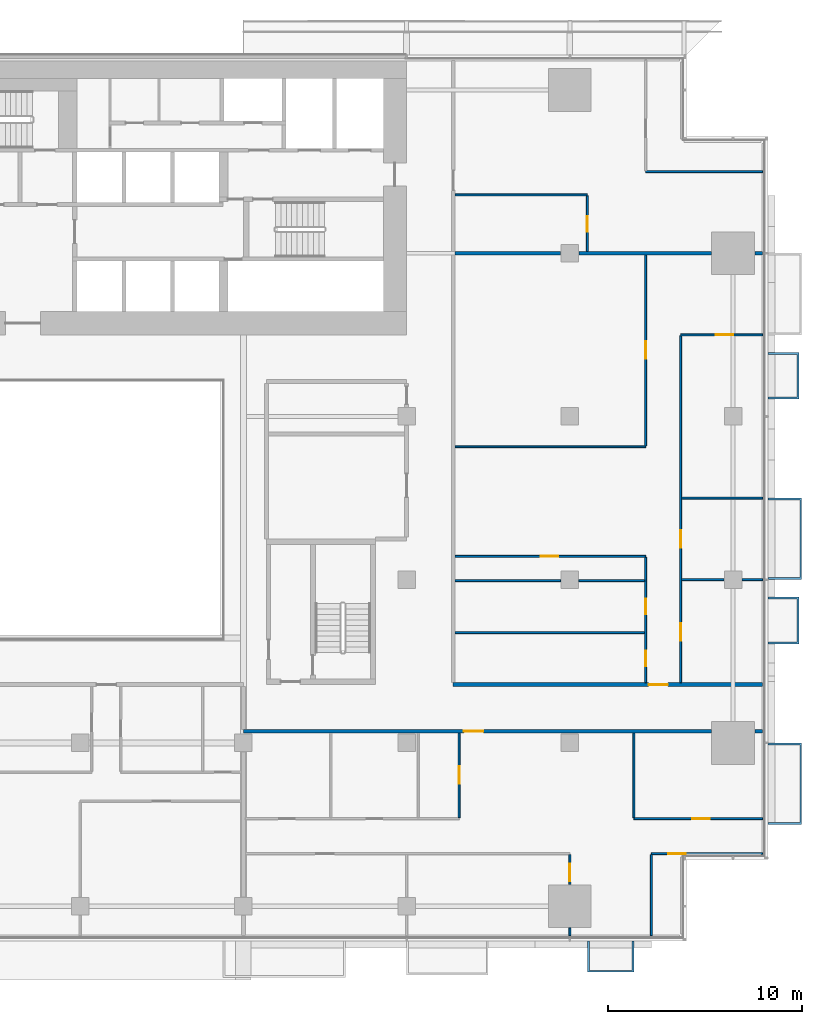
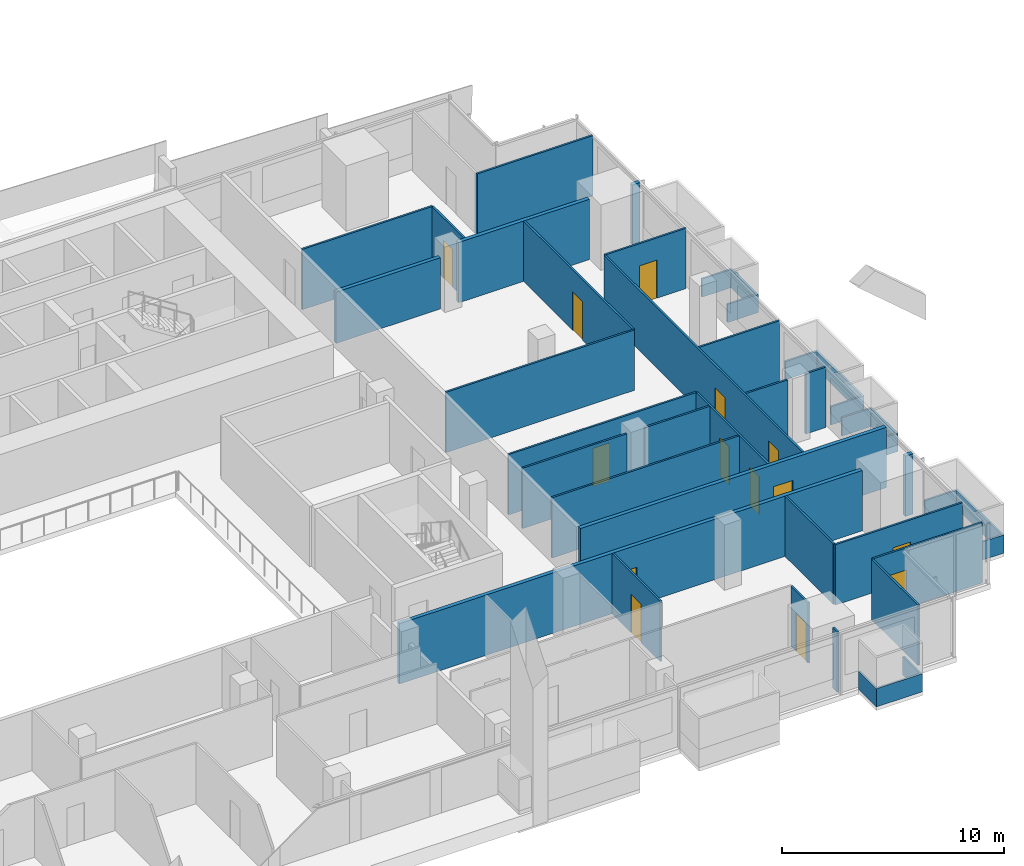
# One storey, part 23 of 30: 33 walls, 14 doors, 14 openings.
"""IFC4 building model written with IfcOpenShell, lengths in metres."""

from ifc_helpers import new_model, si_unit, direction, frame, frame_2d, origin, place, context, subcontext, project, spatial, polyline, rectangle, outline, extrude, material, layer, layer_set, type_object, element, fill, save


model = new_model("IFC4")

# Units and contexts
model_context = context("Model", 3, precision=1e-05, world=origin(), true_north=direction((0.0, 1.0)))
body_context = subcontext(model_context, "Body", "Model", "MODEL_VIEW")
ifc_project = project(units=[si_unit("LENGTHUNIT", "METRE"), si_unit("AREAUNIT", "SQUARE_METRE"), si_unit("VOLUMEUNIT", "CUBIC_METRE"), si_unit("PLANEANGLEUNIT", "RADIAN"), si_unit("MASSUNIT", "GRAM", prefix="KILO")], contexts=[model_context])

# Site, building, storey
site_placement = place(None, origin())
site = spatial("IfcSite", under=ifc_project, at=site_placement, CompositionType="ELEMENT")
building_placement = place(site_placement, origin())
building = spatial("IfcBuilding", under=site, at=building_placement, Name="Saffron Gate Tower", CompositionType="ELEMENT")
storey_placement = place(building_placement, frame((0.0, 0.0, 37.199951171875)))
storey = spatial("IfcBuildingStorey", under=building, at=storey_placement, Name="L07", CompositionType="ELEMENT", Elevation=37.199951171875)

# Wall, opening, door
ifc_material_1 = material(Name="Plasterboard on steel studs", Category="steel")
ifc_layer_1 = layer(ifc_material_1, 0.10009765625)
ifc_layer_set_1 = layer_set([ifc_layer_1], Name="PW1 Partition 100")
wall_type_1 = type_object("IfcWallType", Name="PW1 Partition 100", PredefinedType="PARTITIONING", material=ifc_layer_set_1)
wall_1_placement = place(storey_placement, frame((126.919921875, 34.5, 0.0), z_axis=(0.0, 0.0, 1.0), x_axis=(-1.0, 0.0, 0.0)))
wall_1 = element("IfcWall", 1, at=wall_1_placement, inside=storey, type_object=wall_type_1, Name="Partition A1-4", PredefinedType="PARTITIONING", context=body_context, shape_type="SweptSolid", body=[
    extrude(rectangle(XDim=5.719970703125, YDim=0.10009765625, at=frame_2d((2.85986328125, 0.0))), origin(), (0.0, 0.0, 1.0), 3.320068359375),
])
opening_1_placement = place(wall_1_placement, frame((3.96630859375, 0.0, 0.0)))
opening_1 = element("IfcOpeningElement", 2, at=opening_1_placement, cuts=wall_1, Name="Opening A1-20", PredefinedType="OPENING", context=body_context, shape_type="SweptSolid", body=[
    extrude(rectangle(XDim=0.89990234375, YDim=2.10009765625, at=frame_2d((0.449951171875, 1.050048828125))), frame((0.0, 0.06005859375, 0.0), z_axis=(0.0, -1.0, 0.0), x_axis=(1.0, 0.0, 0.0)), (0.0, 0.0, 1.0), 0.1201171875),
])
ifc_material_2 = material(Name="Timber door set", Category="wood")
door_type_1 = type_object("IfcDoorType", Name="RD1 Room door 900x2100", OperationType="NOTDEFINED", PredefinedType="DOOR", material=ifc_material_2)
door_1_placement = place(opening_1_placement, origin())
door_1 = element("IfcDoor", 3, at=door_1_placement, inside=storey, type_object=door_type_1, Name="Door A1-20", OperationType="SINGLE_SWING_RIGHT", OverallHeight=2.10009765625, OverallWidth=0.89990234375, PredefinedType="DOOR", context=body_context, shape_type="SweptSolid", body=[
    extrude(rectangle(XDim=0.89990234375, YDim=2.10009765625, at=frame_2d((0.449951171875, 1.050048828125))), frame((0.0, 0.02490234375, 0.0), z_axis=(0.0, -1.0, 0.0), x_axis=(1.0, 0.0, 0.0)), (0.0, 0.0, 1.0), 0.050048828125),
])
fill(opening_1, door_1)

wall_2_placement = place(storey_placement, frame((120.300048828125, 36.300048828125, 0.0), z_axis=(0.0, 0.0, 1.0), x_axis=(1.0, 0.0, 0.0)))
wall_2 = element("IfcWall", 4, at=wall_2_placement, inside=storey, type_object=wall_type_1, Name="Partition A1-8", PredefinedType="PARTITIONING", context=body_context, shape_type="SweptSolid", body=[
    extrude(rectangle(XDim=6.619873046875, YDim=0.10009765625, at=frame_2d((3.31005859375, 0.0))), origin(), (0.0, 0.0, 1.0), 3.320068359375),
])
opening_2_placement = place(wall_2_placement, frame((3.0, 0.0, 0.0)))
opening_2 = element("IfcOpeningElement", 5, at=opening_2_placement, cuts=wall_2, Name="Opening A1-21", PredefinedType="OPENING", context=body_context, shape_type="SweptSolid", body=[
    extrude(rectangle(XDim=0.89990234375, YDim=2.10009765625, at=frame_2d((0.449951171875, 1.050048828125))), frame((0.0, 0.06005859375, 0.0), z_axis=(0.0, -1.0, 0.0), x_axis=(1.0, 0.0, 0.0)), (0.0, 0.0, 1.0), 0.1201171875),
])
door_2_placement = place(opening_2_placement, origin())
door_2 = element("IfcDoor", 6, at=door_2_placement, inside=storey, type_object=door_type_1, Name="Door A1-21", OperationType="SINGLE_SWING_RIGHT", OverallHeight=2.10009765625, OverallWidth=0.89990234375, PredefinedType="DOOR", context=body_context, shape_type="SweptSolid", body=[
    extrude(rectangle(XDim=0.89990234375, YDim=2.10009765625, at=frame_2d((0.449951171875, 1.050048828125))), frame((0.0, 0.02490234375, 0.0), z_axis=(0.0, -1.0, 0.0), x_axis=(1.0, 0.0, 0.0)), (0.0, 0.0, 1.0), 0.050048828125),
])
fill(opening_2, door_2)

# Walls
wall_3_placement = place(storey_placement, frame((111.10009765625, 45.876708984375, 0.0), z_axis=(0.0, 0.0, 1.0), x_axis=(1.0, 0.0, 0.0)))
element("IfcWall", 7, at=wall_3_placement, inside=storey, type_object=wall_type_1, Name="Partition A1-20", PredefinedType="PARTITIONING", context=body_context, shape_type="SweptSolid", body=[
    extrude(rectangle(XDim=9.75, YDim=0.10009765625, at=frame_2d((4.875, 0.0))), origin(), (0.0, 0.0, 1.0), 3.320068359375),
])
wall_4_placement = place(storey_placement, frame((111.10009765625, 48.553466796875, 0.0), z_axis=(0.0, 0.0, 1.0), x_axis=(1.0, 0.0, 0.0)))
element("IfcWall", 8, at=wall_4_placement, inside=storey, type_object=wall_type_1, Name="Partition A1-22", PredefinedType="PARTITIONING", context=body_context, shape_type="SweptSolid", body=[
    extrude(rectangle(XDim=5.429931640625, YDim=0.10009765625, at=frame_2d((2.71484375, 0.0))), origin(), (0.0, 0.0, 1.0), 3.320068359375),
])
wall_5_placement = place(storey_placement, frame((117.469970703125, 48.553466796875, 0.0), z_axis=(0.0, 0.0, 1.0), x_axis=(1.0, 0.0, 0.0)))
element("IfcWall", 9, at=wall_5_placement, inside=storey, type_object=wall_type_1, Name="Partition A1-23", PredefinedType="PARTITIONING", context=body_context, shape_type="SweptSolid", body=[
    extrude(rectangle(XDim=3.380126953125, YDim=0.10009765625, at=frame_2d((1.68994140625, 0.0))), origin(), (0.0, 0.0, 1.0), 3.320068359375),
])
wall_6_placement = place(storey_placement, frame((122.75, 48.60009765625, 0.0), z_axis=(0.0, 0.0, 1.0), x_axis=(1.0, 0.0, 0.0)))
element("IfcWall", 10, at=wall_6_placement, inside=storey, type_object=wall_type_1, Name="Partition A1-26", PredefinedType="PARTITIONING", context=body_context, shape_type="SweptSolid", body=[
    extrude(rectangle(XDim=2.179931640625, YDim=0.10009765625, at=frame_2d((1.08984375, 0.0))), origin(), (0.0, 0.0, 1.0), 3.320068359375),
])
wall_7_placement = place(storey_placement, frame((125.8701171875, 48.60009765625, 0.0), z_axis=(0.0, 0.0, 1.0), x_axis=(1.0, 0.0, 0.0)))
element("IfcWall", 11, at=wall_7_placement, inside=storey, type_object=wall_type_1, Name="Partition A1-27", PredefinedType="PARTITIONING", context=body_context, shape_type="SweptSolid", body=[
    extrude(rectangle(XDim=1.0498046875, YDim=0.10009765625, at=frame_2d((0.52490234375, 0.0))), origin(), (0.0, 0.0, 1.0), 3.320068359375),
])

# Wall, opening, door
wall_8_placement = place(storey_placement, frame((120.89990234375, 49.800048828125, 0.0), z_axis=(0.0, 0.0, 1.0), x_axis=(-1.0, 0.0, 0.0)))
wall_8 = element("IfcWall", 12, at=wall_8_placement, inside=storey, type_object=wall_type_1, Name="Partition A1-29", PredefinedType="PARTITIONING", context=body_context, shape_type="SweptSolid", body=[
    extrude(rectangle(XDim=9.7998046875, YDim=0.10009765625, at=frame_2d((4.89990234375, 0.0))), origin(), (0.0, 0.0, 1.0), 3.320068359375),
])
opening_3_placement = place(wall_8_placement, frame((4.5, 0.0, 0.0)))
opening_3 = element("IfcOpeningElement", 13, at=opening_3_placement, cuts=wall_8, Name="Opening A1-33", PredefinedType="OPENING", context=body_context, shape_type="SweptSolid", body=[
    extrude(rectangle(XDim=0.89990234375, YDim=2.10009765625, at=frame_2d((0.449951171875, 1.050048828125))), frame((0.0, 0.06005859375, 0.0), z_axis=(0.0, -1.0, 0.0), x_axis=(1.0, 0.0, 0.0)), (0.0, 0.0, 1.0), 0.1201171875),
])
door_3_placement = place(opening_3_placement, origin())
door_3 = element("IfcDoor", 14, at=door_3_placement, inside=storey, type_object=door_type_1, Name="Door A1-33", OperationType="SINGLE_SWING_RIGHT", OverallHeight=2.10009765625, OverallWidth=0.89990234375, PredefinedType="DOOR", context=body_context, shape_type="SweptSolid", body=[
    extrude(rectangle(XDim=0.89990234375, YDim=2.10009765625, at=frame_2d((0.449951171875, 1.050048828125))), frame((0.0, 0.02490234375, 0.0), z_axis=(0.0, -1.0, 0.0), x_axis=(1.0, 0.0, 0.0)), (0.0, 0.0, 1.0), 0.050048828125),
])
fill(opening_3, door_3)

# Walls
wall_9_placement = place(storey_placement, frame((122.75, 52.800048828125, 0.0), z_axis=(0.0, 0.0, 1.0), x_axis=(1.0, 0.0, 0.0)))
element("IfcWall", 15, at=wall_9_placement, inside=storey, type_object=wall_type_1, Name="Partition A1-34", PredefinedType="PARTITIONING", context=body_context, shape_type="SweptSolid", body=[
    extrude(rectangle(XDim=4.169921875, YDim=0.10009765625, at=frame_2d((2.0849609375, 0.0))), origin(), (0.0, 0.0, 1.0), 3.320068359375),
])
wall_10_placement = place(storey_placement, frame((111.10009765625, 55.44140625, 0.0), z_axis=(0.0, 0.0, 1.0), x_axis=(1.0, 0.0, 0.0)))
element("IfcWall", 16, at=wall_10_placement, inside=storey, type_object=wall_type_1, Name="Partition A1-35", PredefinedType="PARTITIONING", context=body_context, shape_type="SweptSolid", body=[
    extrude(rectangle(XDim=9.7998046875, YDim=0.10009765625, at=frame_2d((4.89990234375, 0.0))), origin(), (0.0, 0.0, 1.0), 3.320068359375),
])

# Wall, opening, door
wall_11_placement = place(storey_placement, frame((126.919921875, 61.199951171875, 0.0), z_axis=(0.0, 0.0, 1.0), x_axis=(-1.0, 0.0, 0.0)))
wall_11 = element("IfcWall", 17, at=wall_11_placement, inside=storey, type_object=wall_type_1, Name="Partition A1-41", PredefinedType="PARTITIONING", context=body_context, shape_type="SweptSolid", body=[
    extrude(rectangle(XDim=4.219970703125, YDim=0.10009765625, at=frame_2d((2.10986328125, 0.0))), origin(), (0.0, 0.0, 1.0), 3.320068359375),
])
opening_4_placement = place(wall_11_placement, frame((1.52001953125, 0.0, 0.0)))
opening_4 = element("IfcOpeningElement", 18, at=opening_4_placement, cuts=wall_11, Name="Opening A1-31", PredefinedType="OPENING", context=body_context, shape_type="SweptSolid", body=[
    extrude(rectangle(XDim=0.89990234375, YDim=2.10009765625, at=frame_2d((0.449951171875, 1.050048828125))), frame((0.0, 0.06005859375, 0.0), z_axis=(0.0, -1.0, 0.0), x_axis=(1.0, 0.0, 0.0)), (0.0, 0.0, 1.0), 0.1201171875),
])
door_4_placement = place(opening_4_placement, origin())
door_4 = element("IfcDoor", 19, at=door_4_placement, inside=storey, type_object=door_type_1, Name="Door A1-31", OperationType="SINGLE_SWING_LEFT", OverallHeight=2.10009765625, OverallWidth=0.89990234375, PredefinedType="DOOR", context=body_context, shape_type="SweptSolid", body=[
    extrude(rectangle(XDim=0.89990234375, YDim=2.10009765625, at=frame_2d((0.449951171875, 1.050048828125))), frame((0.0, 0.02490234375, 0.0), z_axis=(0.0, -1.0, 0.0), x_axis=(1.0, 0.0, 0.0)), (0.0, 0.0, 1.0), 0.050048828125),
])
fill(opening_4, door_4)

# Walls
wall_12_placement = place(storey_placement, frame((111.10009765625, 68.39990234375, 0.0), z_axis=(0.0, 0.0, 1.0), x_axis=(1.0, 0.0, 0.0)))
element("IfcWall", 20, at=wall_12_placement, inside=storey, type_object=wall_type_1, Name="Partition A1-48", PredefinedType="PARTITIONING", context=body_context, shape_type="SweptSolid", body=[
    extrude(rectangle(XDim=6.7998046875, YDim=0.10009765625, at=frame_2d((3.39990234375, 0.0))), origin(), (0.0, 0.0, 1.0), 3.320068359375),
])
wall_13_placement = place(storey_placement, frame((120.89990234375, 69.60009765625, 0.0), z_axis=(0.0, 0.0, 1.0), x_axis=(1.0, 0.0, 0.0)))
element("IfcWall", 21, at=wall_13_placement, inside=storey, type_object=wall_type_1, Name="Partition A1-51", PredefinedType="PARTITIONING", context=body_context, shape_type="SweptSolid", body=[
    extrude(rectangle(XDim=6.02001953125, YDim=0.10009765625, at=frame_2d((3.010009765625, 0.0))), origin(), (0.0, 0.0, 1.0), 3.320068359375),
])

# Wall, opening, door
wall_14_placement = place(storey_placement, frame((111.300048828125, 36.35009765625, 0.0), z_axis=(0.0, 0.0, 1.0), x_axis=(0.0, 1.0, 0.0)))
wall_14 = element("IfcWall", 22, at=wall_14_placement, inside=storey, type_object=wall_type_1, Name="Partition A1-96", PredefinedType="PARTITIONING", context=body_context, shape_type="SweptSolid", body=[
    extrude(rectangle(XDim=4.349853515625, YDim=0.10009765625, at=frame_2d((2.1748046875, 0.0))), origin(), (0.0, 0.0, 1.0), 3.320068359375),
])
opening_5_placement = place(wall_14_placement, frame((1.75, 0.0, 0.0)))
opening_5 = element("IfcOpeningElement", 23, at=opening_5_placement, cuts=wall_14, Name="Opening A1-22", PredefinedType="OPENING", context=body_context, shape_type="SweptSolid", body=[
    extrude(rectangle(XDim=0.89990234375, YDim=2.10009765625, at=frame_2d((0.449951171875, 1.050048828125))), frame((0.0, 0.06005859375, 0.0), z_axis=(0.0, -1.0, 0.0), x_axis=(1.0, 0.0, 0.0)), (0.0, 0.0, 1.0), 0.1201171875),
])
door_5_placement = place(opening_5_placement, origin())
door_5 = element("IfcDoor", 24, at=door_5_placement, inside=storey, type_object=door_type_1, Name="Door A1-22", OperationType="SINGLE_SWING_RIGHT", OverallHeight=2.10009765625, OverallWidth=0.89990234375, PredefinedType="DOOR", context=body_context, shape_type="SweptSolid", body=[
    extrude(rectangle(XDim=0.89990234375, YDim=2.10009765625, at=frame_2d((0.449951171875, 1.050048828125))), frame((0.0, 0.02490234375, 0.0), z_axis=(0.0, -1.0, 0.0), x_axis=(1.0, 0.0, 0.0)), (0.0, 0.0, 1.0), 0.050048828125),
])
fill(opening_5, door_5)

# Wall
wall_15_placement = place(storey_placement, frame((117.0, 30.679931640625, 0.0), z_axis=(0.0, 0.0, 1.0), x_axis=(0.0, -1.0, 0.0)))
element("IfcWall", 25, at=wall_15_placement, inside=storey, type_object=wall_type_1, Name="Partition A1-97", PredefinedType="PARTITIONING", context=body_context, shape_type="SweptSolid", body=[
    extrude(rectangle(XDim=0.39990234375, YDim=0.10009765625, at=frame_2d((0.199951171875, 0.0))), origin(), (0.0, 0.0, 1.0), 3.320068359375),
])

# Wall, opening, door
wall_16_placement = place(storey_placement, frame((117.0, 32.919921875, 0.0), z_axis=(0.0, 0.0, 1.0), x_axis=(0.0, 1.0, 0.0)))
wall_16 = element("IfcWall", 26, at=wall_16_placement, inside=storey, type_object=wall_type_1, Name="Partition A1-98", PredefinedType="PARTITIONING", context=body_context, shape_type="SweptSolid", body=[
    extrude(rectangle(XDim=1.530029296875, YDim=0.10009765625, at=frame_2d((0.76513671875, 0.0))), origin(), (0.0, 0.0, 1.0), 3.320068359375),
])
opening_6_placement = place(wall_16_placement, frame((0.14990234375, 0.0, 0.0)))
opening_6 = element("IfcOpeningElement", 27, at=opening_6_placement, cuts=wall_16, Name="Opening A1-19", PredefinedType="OPENING", context=body_context, shape_type="SweptSolid", body=[
    extrude(rectangle(XDim=0.89990234375, YDim=2.10009765625, at=frame_2d((0.449951171875, 1.050048828125))), frame((0.0, 0.06005859375, 0.0), z_axis=(0.0, -1.0, 0.0), x_axis=(1.0, 0.0, 0.0)), (0.0, 0.0, 1.0), 0.1201171875),
])
door_6_placement = place(opening_6_placement, origin())
door_6 = element("IfcDoor", 28, at=door_6_placement, inside=storey, type_object=door_type_1, Name="Door A1-19", OperationType="SINGLE_SWING_LEFT", OverallHeight=2.10009765625, OverallWidth=0.89990234375, PredefinedType="DOOR", context=body_context, shape_type="SweptSolid", body=[
    extrude(rectangle(XDim=0.89990234375, YDim=2.10009765625, at=frame_2d((0.449951171875, 1.050048828125))), frame((0.0, 0.02490234375, 0.0), z_axis=(0.0, -1.0, 0.0), x_axis=(1.0, 0.0, 0.0)), (0.0, 0.0, 1.0), 0.050048828125),
])
fill(opening_6, door_6)

wall_17_placement = place(storey_placement, frame((117.89990234375, 65.5, 0.0), z_axis=(0.0, 0.0, 1.0), x_axis=(0.0, 1.0, 0.0)))
wall_17 = element("IfcWall", 29, at=wall_17_placement, inside=storey, type_object=wall_type_1, Name="Partition A1-99", PredefinedType="PARTITIONING", context=body_context, shape_type="SweptSolid", body=[
    extrude(rectangle(XDim=2.85009765625, YDim=0.10009765625, at=frame_2d((1.425048828125, 0.0))), origin(), (0.0, 0.0, 1.0), 3.320068359375),
])
opening_7_placement = place(wall_17_placement, frame((1.0, 0.0, 0.0)))
opening_7 = element("IfcOpeningElement", 30, at=opening_7_placement, cuts=wall_17, Name="Opening A1-47", PredefinedType="OPENING", context=body_context, shape_type="SweptSolid", body=[
    extrude(rectangle(XDim=0.800048828125, YDim=2.10009765625, at=frame_2d((0.39990234375, 1.050048828125))), frame((0.0, 0.06005859375, 0.0), z_axis=(0.0, -1.0, 0.0), x_axis=(1.0, 0.0, 0.0)), (0.0, 0.0, 1.0), 0.1201171875),
])
door_type_2 = type_object("IfcDoorType", Name="RD2 Bathroom door 800x2100", OperationType="NOTDEFINED", PredefinedType="DOOR", material=ifc_material_2)
door_7_placement = place(opening_7_placement, origin())
door_7 = element("IfcDoor", 31, at=door_7_placement, inside=storey, type_object=door_type_2, Name="Door A1-47", OperationType="SINGLE_SWING_LEFT", OverallHeight=2.10009765625, OverallWidth=0.800048828125, PredefinedType="DOOR", context=body_context, shape_type="SweptSolid", body=[
    extrude(rectangle(XDim=0.800048828125, YDim=2.10009765625, at=frame_2d((0.39990234375, 1.050048828125))), frame((0.0, 0.02490234375, 0.0), z_axis=(0.0, -1.0, 0.0), x_axis=(1.0, 0.0, 0.0)), (0.0, 0.0, 1.0), 0.050048828125),
])
fill(opening_7, door_7)

# Wall
wall_18_placement = place(storey_placement, frame((120.300048828125, 40.699951171875, 0.0), z_axis=(0.0, 0.0, 1.0), x_axis=(0.0, -1.0, 0.0)))
element("IfcWall", 32, at=wall_18_placement, inside=storey, type_object=wall_type_1, Name="Partition A1-100", PredefinedType="PARTITIONING", context=body_context, shape_type="SweptSolid", body=[
    extrude(rectangle(XDim=4.349853515625, YDim=0.10009765625, at=frame_2d((2.1748046875, 0.0))), origin(), (0.0, 0.0, 1.0), 3.320068359375),
])

# Wall, openings, doors
wall_19_placement = place(storey_placement, frame((120.89990234375, 43.300048828125, 0.0), z_axis=(0.0, 0.0, 1.0), x_axis=(0.0, 1.0, 0.0)))
wall_19 = element("IfcWall", 33, at=wall_19_placement, inside=storey, type_object=wall_type_1, Name="Partition A1-101", PredefinedType="PARTITIONING", context=body_context, shape_type="SweptSolid", body=[
    extrude(rectangle(XDim=6.449951171875, YDim=0.10009765625, at=frame_2d((3.22509765625, 0.0))), origin(), (0.0, 0.0, 1.0), 3.320068359375),
])
opening_8_placement = place(wall_19_placement, frame((0.83837890625, 0.0, 0.0)))
opening_8 = element("IfcOpeningElement", 34, at=opening_8_placement, cuts=wall_19, Name="Opening A1-45", PredefinedType="OPENING", context=body_context, shape_type="SweptSolid", body=[
    extrude(rectangle(XDim=0.800048828125, YDim=2.10009765625, at=frame_2d((0.39990234375, 1.050048828125))), frame((0.0, 0.06005859375, 0.0), z_axis=(0.0, -1.0, 0.0), x_axis=(1.0, 0.0, 0.0)), (0.0, 0.0, 1.0), 0.1201171875),
])
opening_9_placement = place(wall_19_placement, frame((3.51513671875, 0.0, 0.0)))
opening_9 = element("IfcOpeningElement", 35, at=opening_9_placement, cuts=wall_19, Name="Opening A1-46", PredefinedType="OPENING", context=body_context, shape_type="SweptSolid", body=[
    extrude(rectangle(XDim=0.800048828125, YDim=2.10009765625, at=frame_2d((0.39990234375, 1.050048828125))), frame((0.0, 0.06005859375, 0.0), z_axis=(0.0, -1.0, 0.0), x_axis=(1.0, 0.0, 0.0)), (0.0, 0.0, 1.0), 0.1201171875),
])
door_8_placement = place(opening_8_placement, origin())
door_8 = element("IfcDoor", 36, at=door_8_placement, inside=storey, type_object=door_type_2, Name="Door A1-45", OperationType="SINGLE_SWING_LEFT", OverallHeight=2.10009765625, OverallWidth=0.800048828125, PredefinedType="DOOR", context=body_context, shape_type="SweptSolid", body=[
    extrude(rectangle(XDim=0.800048828125, YDim=2.10009765625, at=frame_2d((0.39990234375, 1.050048828125))), frame((0.0, 0.02490234375, 0.0), z_axis=(0.0, -1.0, 0.0), x_axis=(1.0, 0.0, 0.0)), (0.0, 0.0, 1.0), 0.050048828125),
])
fill(opening_8, door_8)
door_9_placement = place(opening_9_placement, origin())
door_9 = element("IfcDoor", 37, at=door_9_placement, inside=storey, type_object=door_type_2, Name="Door A1-46", OperationType="SINGLE_SWING_RIGHT", OverallHeight=2.10009765625, OverallWidth=0.800048828125, PredefinedType="DOOR", context=body_context, shape_type="SweptSolid", body=[
    extrude(rectangle(XDim=0.800048828125, YDim=2.10009765625, at=frame_2d((0.39990234375, 1.050048828125))), frame((0.0, 0.02490234375, 0.0), z_axis=(0.0, -1.0, 0.0), x_axis=(1.0, 0.0, 0.0)), (0.0, 0.0, 1.0), 0.050048828125),
])
fill(opening_9, door_9)

# Wall, opening, door
wall_20_placement = place(storey_placement, frame((120.89990234375, 55.491455078125, 0.0), z_axis=(0.0, 0.0, 1.0), x_axis=(0.0, 1.0, 0.0)))
wall_20 = element("IfcWall", 38, at=wall_20_placement, inside=storey, type_object=wall_type_1, Name="Partition A1-102", PredefinedType="PARTITIONING", context=body_context, shape_type="SweptSolid", body=[
    extrude(rectangle(XDim=9.80859375, YDim=0.10009765625, at=frame_2d((4.904296875, 0.0))), origin(), (0.0, 0.0, 1.0), 3.320068359375),
])
opening_10_placement = place(wall_20_placement, frame((4.479248046875, 0.0, 0.0)))
opening_10 = element("IfcOpeningElement", 39, at=opening_10_placement, cuts=wall_20, Name="Opening A1-32", PredefinedType="OPENING", context=body_context, shape_type="SweptSolid", body=[
    extrude(rectangle(XDim=0.89990234375, YDim=2.10009765625, at=frame_2d((0.449951171875, 1.050048828125))), frame((0.0, 0.06005859375, 0.0), z_axis=(0.0, -1.0, 0.0), x_axis=(1.0, 0.0, 0.0)), (0.0, 0.0, 1.0), 0.1201171875),
])
door_10_placement = place(opening_10_placement, origin())
door_10 = element("IfcDoor", 40, at=door_10_placement, inside=storey, type_object=door_type_1, Name="Door A1-32", OperationType="SINGLE_SWING_RIGHT", OverallHeight=2.10009765625, OverallWidth=0.89990234375, PredefinedType="DOOR", context=body_context, shape_type="SweptSolid", body=[
    extrude(rectangle(XDim=0.89990234375, YDim=2.10009765625, at=frame_2d((0.449951171875, 1.050048828125))), frame((0.0, 0.02490234375, 0.0), z_axis=(0.0, -1.0, 0.0), x_axis=(1.0, 0.0, 0.0)), (0.0, 0.0, 1.0), 0.050048828125),
])
fill(opening_10, door_10)

# Wall
wall_21_placement = place(storey_placement, frame((121.199951171875, 34.449951171875, 0.0), z_axis=(0.0, 0.0, 1.0), x_axis=(0.0, -1.0, 0.0)))
element("IfcWall", 41, at=wall_21_placement, inside=storey, type_object=wall_type_1, Name="Partition A1-104", PredefinedType="PARTITIONING", context=body_context, shape_type="SweptSolid", body=[
    extrude(rectangle(XDim=4.169921875, YDim=0.10009765625, at=frame_2d((2.0849609375, 0.0))), origin(), (0.0, 0.0, 1.0), 3.320068359375),
])

# Wall, openings, doors
wall_22_placement = place(storey_placement, frame((122.699951171875, 61.14990234375, 0.0), z_axis=(0.0, 0.0, 1.0), x_axis=(0.0, -1.0, 0.0)))
wall_22 = element("IfcWall", 42, at=wall_22_placement, inside=storey, type_object=wall_type_1, Name="Partition A1-105", PredefinedType="PARTITIONING", context=body_context, shape_type="SweptSolid", body=[
    extrude(rectangle(XDim=17.849853515625, YDim=0.10009765625, at=frame_2d((8.9248046875, 0.0))), origin(), (0.0, 0.0, 1.0), 3.320068359375),
])
opening_11_placement = place(wall_22_placement, frame((10.0, 0.0, 0.0)))
opening_11 = element("IfcOpeningElement", 43, at=opening_11_placement, cuts=wall_22, Name="Opening A1-30", PredefinedType="OPENING", context=body_context, shape_type="SweptSolid", body=[
    extrude(rectangle(XDim=0.89990234375, YDim=2.10009765625, at=frame_2d((0.449951171875, 1.050048828125))), frame((0.0, 0.06005859375, 0.0), z_axis=(0.0, -1.0, 0.0), x_axis=(1.0, 0.0, 0.0)), (0.0, 0.0, 1.0), 0.1201171875),
])
opening_12_placement = place(wall_22_placement, frame((14.800048828125, 0.0, 0.0)))
opening_12 = element("IfcOpeningElement", 44, at=opening_12_placement, cuts=wall_22, Name="Opening A1-29", PredefinedType="OPENING", context=body_context, shape_type="SweptSolid", body=[
    extrude(rectangle(XDim=0.89990234375, YDim=2.10009765625, at=frame_2d((0.449951171875, 1.050048828125))), frame((0.0, 0.06005859375, 0.0), z_axis=(0.0, -1.0, 0.0), x_axis=(1.0, 0.0, 0.0)), (0.0, 0.0, 1.0), 0.1201171875),
])
door_11_placement = place(opening_11_placement, origin())
door_11 = element("IfcDoor", 45, at=door_11_placement, inside=storey, type_object=door_type_1, Name="Door A1-30", OperationType="SINGLE_SWING_LEFT", OverallHeight=2.10009765625, OverallWidth=0.89990234375, PredefinedType="DOOR", context=body_context, shape_type="SweptSolid", body=[
    extrude(rectangle(XDim=0.89990234375, YDim=2.10009765625, at=frame_2d((0.449951171875, 1.050048828125))), frame((0.0, 0.02490234375, 0.0), z_axis=(0.0, -1.0, 0.0), x_axis=(1.0, 0.0, 0.0)), (0.0, 0.0, 1.0), 0.050048828125),
])
fill(opening_11, door_11)
door_12_placement = place(opening_12_placement, origin())
door_12 = element("IfcDoor", 46, at=door_12_placement, inside=storey, type_object=door_type_1, Name="Door A1-29", OperationType="SINGLE_SWING_RIGHT", OverallHeight=2.10009765625, OverallWidth=0.89990234375, PredefinedType="DOOR", context=body_context, shape_type="SweptSolid", body=[
    extrude(rectangle(XDim=0.89990234375, YDim=2.10009765625, at=frame_2d((0.449951171875, 1.050048828125))), frame((0.0, 0.02490234375, 0.0), z_axis=(0.0, -1.0, 0.0), x_axis=(1.0, 0.0, 0.0)), (0.0, 0.0, 1.0), 0.050048828125),
])
fill(opening_12, door_12)

# Walls
ifc_material_3 = material(Name="Clay brick masonry, rendered", Category="masonry")
ifc_layer_2 = layer(ifc_material_3, 0.199951171875)
ifc_layer_set_2 = layer_set([ifc_layer_2], Name="PW2 Demising wall 200")
wall_type_2 = type_object("IfcWallType", Name="PW2 Demising wall 200", PredefinedType="PARTITIONING", material=ifc_layer_set_2)
wall_23_placement = place(storey_placement, frame((111.10009765625, 65.39990234375, 0.0), z_axis=(0.0, 0.0, 1.0), x_axis=(1.0, 0.0, 0.0)))
element("IfcWall", 47, at=wall_23_placement, inside=storey, type_object=wall_type_2, Name="Wall A1-45", PredefinedType="PARTITIONING", context=body_context, shape_type="SweptSolid", body=[
    extrude(rectangle(XDim=5.429931640625, YDim=0.199951171875, at=frame_2d((2.71484375, 0.0))), origin(), (0.0, 0.0, 1.0), 2.820068359375),
])
wall_24_placement = place(storey_placement, frame((117.469970703125, 65.39990234375, 0.0), z_axis=(0.0, 0.0, 1.0), x_axis=(1.0, 0.0, 0.0)))
element("IfcWall", 48, at=wall_24_placement, inside=storey, type_object=wall_type_2, Name="Wall A1-46", PredefinedType="PARTITIONING", context=body_context, shape_type="SweptSolid", body=[
    extrude(rectangle(XDim=6.81005859375, YDim=0.199951171875, at=frame_2d((3.405029296875, 0.0))), origin(), (0.0, 0.0, 1.0), 3.320068359375),
])
wall_25_placement = place(storey_placement, frame((126.52001953125, 65.39990234375, 0.0), z_axis=(0.0, 0.0, 1.0), x_axis=(1.0, 0.0, 0.0)))
element("IfcWall", 49, at=wall_25_placement, inside=storey, type_object=wall_type_2, Name="Wall A1-47", PredefinedType="PARTITIONING", context=body_context, shape_type="SweptSolid", body=[
    extrude(rectangle(XDim=0.39990234375, YDim=0.199951171875, at=frame_2d((0.199951171875, 0.0))), origin(), (0.0, 0.0, 1.0), 3.320068359375),
])

# Wall, opening, door
ifc_layer_3 = layer(ifc_material_3, 0.199951171875)
ifc_layer_set_3 = layer_set([ifc_layer_3], Name="PW3 Corridor wall 200")
wall_type_3 = type_object("IfcWallType", Name="PW3 Corridor wall 200", PredefinedType="PARTITIONING", material=ifc_layer_set_3)
wall_26_placement = place(storey_placement, frame((124.280029296875, 40.800048828125, 0.0), z_axis=(0.0, 0.0, 1.0), x_axis=(-1.0, 0.0, 0.0)))
wall_26 = element("IfcWall", 50, at=wall_26_placement, inside=storey, type_object=wall_type_3, Name="Wall A1-15", PredefinedType="PARTITIONING", context=body_context, shape_type="SweptSolid", body=[
    extrude(rectangle(XDim=24.080078125, YDim=0.199951171875, at=frame_2d((12.0400390625, 0.0))), origin(), (0.0, 0.0, 1.0), 3.320068359375),
])
opening_13_placement = place(wall_26_placement, frame((11.72998046875, 0.0, 0.0)))
opening_13 = element("IfcOpeningElement", 51, at=opening_13_placement, cuts=wall_26, Name="Opening A1-3", PredefinedType="OPENING", context=body_context, shape_type="SweptSolid", body=[
    extrude(rectangle(XDim=1.0, YDim=2.10009765625, at=frame_2d((0.5, 1.050048828125))), frame((0.0, 0.10986328125, 0.0), z_axis=(0.0, -1.0, 0.0), x_axis=(1.0, 0.0, 0.0)), (0.0, 0.0, 1.0), 0.219970703125),
])
ifc_material_4 = material(Name="Timber fire door set", Category="wood")
door_type_3 = type_object("IfcDoorType", Name="FD1 Flat entry door 1000x2100", OperationType="NOTDEFINED", PredefinedType="DOOR", material=ifc_material_4)
door_13_placement = place(opening_13_placement, origin())
door_13 = element("IfcDoor", 52, at=door_13_placement, inside=storey, type_object=door_type_3, Name="Door A1-3", OperationType="SINGLE_SWING_RIGHT", OverallHeight=2.10009765625, OverallWidth=1.0, PredefinedType="DOOR", context=body_context, shape_type="SweptSolid", body=[
    extrude(rectangle(XDim=1.0, YDim=2.10009765625, at=frame_2d((0.5, 1.050048828125))), frame((0.0, 0.02490234375, 0.0), z_axis=(0.0, -1.0, 0.0), x_axis=(1.0, 0.0, 0.0)), (0.0, 0.0, 1.0), 0.050048828125),
])
fill(opening_13, door_13)

# Wall
wall_27_placement = place(storey_placement, frame((126.52001953125, 40.800048828125, 0.0), z_axis=(0.0, 0.0, 1.0), x_axis=(1.0, 0.0, 0.0)))
element("IfcWall", 53, at=wall_27_placement, inside=storey, type_object=wall_type_3, Name="Wall A1-16", PredefinedType="PARTITIONING", context=body_context, shape_type="SweptSolid", body=[
    extrude(rectangle(XDim=0.39990234375, YDim=0.199951171875, at=frame_2d((0.199951171875, 0.0))), origin(), (0.0, 0.0, 1.0), 3.320068359375),
])

# Wall, opening, door
wall_28_placement = place(storey_placement, frame((111.0, 43.199951171875, 0.0), z_axis=(0.0, 0.0, 1.0), x_axis=(1.0, 0.0, 0.0)))
wall_28 = element("IfcWall", 54, at=wall_28_placement, inside=storey, type_object=wall_type_3, Name="Wall A1-19", PredefinedType="PARTITIONING", context=body_context, shape_type="SweptSolid", body=[
    extrude(rectangle(XDim=15.919921875, YDim=0.199951171875, at=frame_2d((7.9599609375, 0.0))), origin(), (0.0, 0.0, 1.0), 3.320068359375),
])
opening_14_placement = place(wall_28_placement, frame((10.050048828125, 0.0, 0.0)))
opening_14 = element("IfcOpeningElement", 55, at=opening_14_placement, cuts=wall_28, Name="Opening A1-6", PredefinedType="OPENING", context=body_context, shape_type="SweptSolid", body=[
    extrude(rectangle(XDim=1.0, YDim=2.10009765625, at=frame_2d((0.5, 1.050048828125))), frame((0.0, 0.10986328125, 0.0), z_axis=(0.0, -1.0, 0.0), x_axis=(1.0, 0.0, 0.0)), (0.0, 0.0, 1.0), 0.219970703125),
])
door_14_placement = place(opening_14_placement, origin())
door_14 = element("IfcDoor", 56, at=door_14_placement, inside=storey, type_object=door_type_3, Name="Door A1-6", OperationType="SINGLE_SWING_LEFT", OverallHeight=2.10009765625, OverallWidth=1.0, PredefinedType="DOOR", context=body_context, shape_type="SweptSolid", body=[
    extrude(rectangle(XDim=1.0, YDim=2.10009765625, at=frame_2d((0.5, 1.050048828125))), frame((0.0, 0.02490234375, 0.0), z_axis=(0.0, -1.0, 0.0), x_axis=(1.0, 0.0, 0.0)), (0.0, 0.0, 1.0), 0.050048828125),
])
fill(opening_14, door_14)

# Walls
ifc_material_5 = material(Name="Rendered insulated panel, white")
ifc_layer_4 = layer(ifc_material_5, 0.10009765625)
ifc_layer_set_4 = layer_set([ifc_layer_4], Name="WB3 box parapet white")
wall_type_4 = type_object("IfcWallType", Name="WB3 box parapet white", PredefinedType="SOLIDWALL", material=ifc_layer_set_4)
wall_29_placement = place(storey_placement, origin())
element("IfcWall", 57, at=wall_29_placement, inside=storey, type_object=wall_type_4, Name="WINDOW BOX parapet", PredefinedType="SOLIDWALL", context=body_context, shape_type="SweptSolid", body=[
    extrude(outline(polyline([(117.89990234375, 30.0), (118.0, 30.0), (118.0, 28.5), (120.199951171875, 28.5), (120.199951171875, 30.0), (120.300048828125, 30.0), (120.300048828125, 28.39990234375), (117.89990234375, 28.39990234375), (117.89990234375, 30.0)])), origin(), (0.0, 0.0, 1.0), 1.0),
])
wall_30_placement = place(storey_placement, origin())
element("IfcWall", 58, at=wall_30_placement, inside=storey, type_object=wall_type_4, Name="WINDOW BOX parapet", PredefinedType="SOLIDWALL", context=body_context, shape_type="SweptSolid", body=[
    extrude(outline(polyline([(127.199951171875, 36.0), (127.199951171875, 36.10009765625), (128.8330078125, 36.10009765625), (128.8330078125, 40.10009765625), (127.199951171875, 40.10009765625), (127.199951171875, 40.199951171875), (128.93310546875, 40.199951171875), (128.93310546875, 36.0), (127.199951171875, 36.0)])), origin(), (0.0, 0.0, 1.0), 1.0),
])
wall_31_placement = place(storey_placement, origin())
element("IfcWall", 59, at=wall_31_placement, inside=storey, type_object=wall_type_4, Name="WINDOW BOX parapet", PredefinedType="SOLIDWALL", context=body_context, shape_type="SweptSolid", body=[
    extrude(outline(polyline([(127.199951171875, 45.300048828125), (127.199951171875, 45.39990234375), (128.699951171875, 45.39990234375), (128.699951171875, 47.60009765625), (127.199951171875, 47.60009765625), (127.199951171875, 47.699951171875), (128.800048828125, 47.699951171875), (128.800048828125, 45.300048828125), (127.199951171875, 45.300048828125)])), origin(), (0.0, 0.0, 1.0), 1.0),
])
wall_32_placement = place(storey_placement, origin())
element("IfcWall", 60, at=wall_32_placement, inside=storey, type_object=wall_type_4, Name="WINDOW BOX parapet", PredefinedType="SOLIDWALL", context=body_context, shape_type="SweptSolid", body=[
    extrude(outline(polyline([(127.199951171875, 48.60009765625), (127.199951171875, 48.699951171875), (128.8330078125, 48.699951171875), (128.8330078125, 52.699951171875), (127.199951171875, 52.699951171875), (127.199951171875, 52.800048828125), (128.93310546875, 52.800048828125), (128.93310546875, 48.60009765625), (127.199951171875, 48.60009765625)])), origin(), (0.0, 0.0, 1.0), 1.0),
])
wall_33_placement = place(storey_placement, origin())
element("IfcWall", 61, at=wall_33_placement, inside=storey, type_object=wall_type_4, Name="WINDOW BOX parapet", PredefinedType="SOLIDWALL", context=body_context, shape_type="SweptSolid", body=[
    extrude(outline(polyline([(127.199951171875, 57.89990234375), (127.199951171875, 58.0), (128.699951171875, 58.0), (128.699951171875, 60.199951171875), (127.199951171875, 60.199951171875), (127.199951171875, 60.300048828125), (128.800048828125, 60.300048828125), (128.800048828125, 57.89990234375), (127.199951171875, 57.89990234375)])), origin(), (0.0, 0.0, 1.0), 1.0),
])

save(model, "model.ifc")
